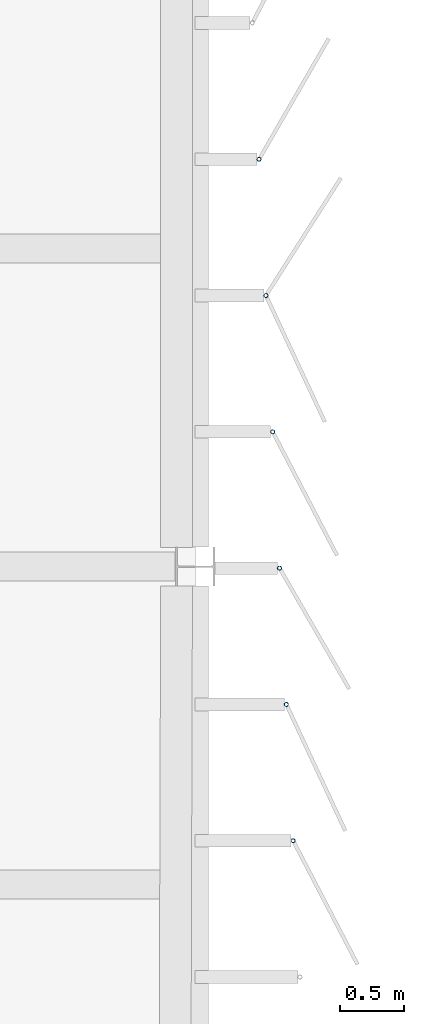
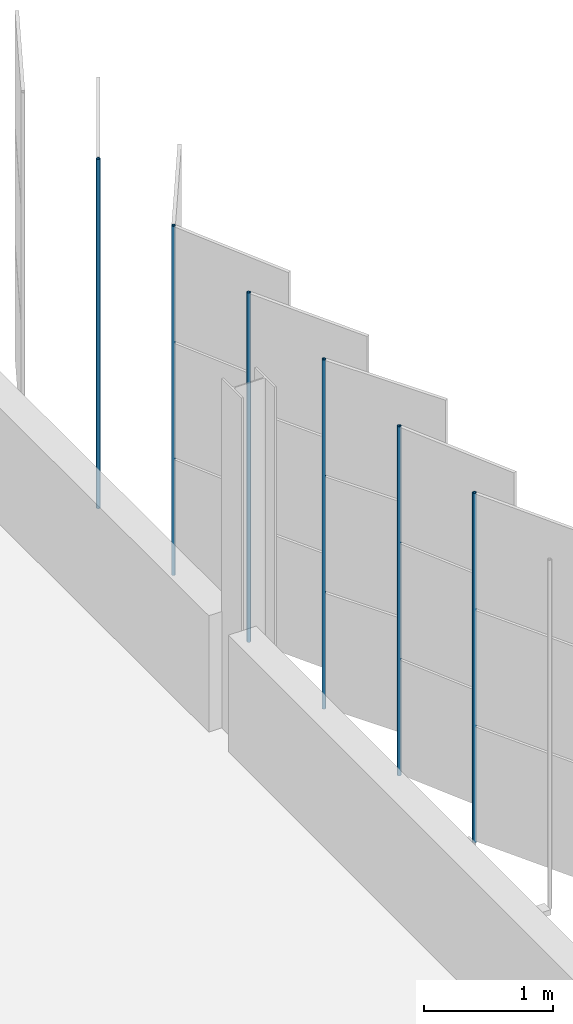
# One storey, part 109 of 214: 6 discrete accessories.
"""IFC4 building model written with IfcOpenShell, lengths in metres."""

from ifc_helpers import new_model, si_unit, direction, frame, origin, origin_2d, place, context, subcontext, project, spatial, hollow_circle, extrude, material, material_profile, profile_set, type_object, element, save


model = new_model("IFC4")

# Units and contexts
model_context = context("Model", 3, precision=1e-05, world=origin(), true_north=direction((0.0, 1.0)))
body_context = subcontext(model_context, "Body", "Model", "MODEL_VIEW")
ifc_project = project(units=[si_unit("LENGTHUNIT", "METRE"), si_unit("AREAUNIT", "SQUARE_METRE"), si_unit("VOLUMEUNIT", "CUBIC_METRE"), si_unit("PLANEANGLEUNIT", "RADIAN"), si_unit("MASSUNIT", "GRAM", prefix="KILO")], contexts=[model_context])

# Site, building, storey
site_placement = place(None, origin())
site = spatial("IfcSite", under=ifc_project, at=site_placement, CompositionType="ELEMENT")
building_placement = place(site_placement, origin())
building = spatial("IfcBuilding", under=site, at=building_placement, Name="Parallax Yard Mobility Hub", CompositionType="ELEMENT")
storey_placement = place(building_placement, frame((0.0, 0.0, 3.300048828125)))
storey = spatial("IfcBuildingStorey", under=building, at=storey_placement, Name="L01", CompositionType="ELEMENT", Elevation=3.300048828125)

# Discrete accessories
ifc_material = material(Name="Steel ASTM A500 Gr C, hot-dip galvanised", Category="steel")
ifc_material_profile = material_profile(ifc_material, hollow_circle(Radius=0.016845703125, WallThickness=0.003173828125, at=origin_2d()), Name="CHS 33.7x3.2")
ifc_profile_set = profile_set([ifc_material_profile], Name="Steel ASTM A500 Gr C, hot-dip galvanised")
discrete_accessory_type = type_object("IfcDiscreteAccessoryType", Name="Hinge post CHS 33.7x3.2", PredefinedType="BRACKET", material=ifc_profile_set)
for number, where, z_axis, x_axis, name in (
    (1, (225.76953125, 35.34423828125, 0.0), (0.0, 0.0, 1.0), (1.0, 0.0, 0.0), "Hinge post bay 33.6 level L01"),
    (2, (225.716064453125, 36.416015625, 0.0), (0.0, 0.0, 1.0), (1.0, 0.0, 0.0), "Hinge post bay 33.7 level L01"),
    (3, (225.66259765625, 37.487548828125, 0.0), (0.0, 0.0, 1.0), (1.0, 0.0, 0.0), "Hinge post bay 34.1 level L01"),
    (4, (225.60888671875, 38.559326171875, 0.0), (0.0, 0.0, 1.0), (1.0, 0.0, 0.0), "Hinge post bay 34.2 level L01"),
    (5, (225.555419921875, 39.631103515625, 0.0), (0.0, 0.0, 1.0), (1.0, 0.0, 0.0), "Hinge post bay 34.3 level L01"),
    (6, (225.501708984375, 40.702880859375, 0.0), (0.0, 0.0, 1.0), (1.0, 0.0, 0.0), "Hinge post bay 34.4 level L01"),
):
    element("IfcDiscreteAccessory", number, at=place(storey_placement, frame(where, z_axis=z_axis, x_axis=x_axis)), inside=storey, type_object=discrete_accessory_type, Name=name, PredefinedType="BRACKET", context=body_context, shape_type="SweptSolid", body=[
        extrude(hollow_circle(Radius=0.016845703125, WallThickness=0.003173828125, at=origin_2d()), origin(), (0.0, 0.0, 1.0), 3.300048828125),
    ])

save(model, "model.ifc")
